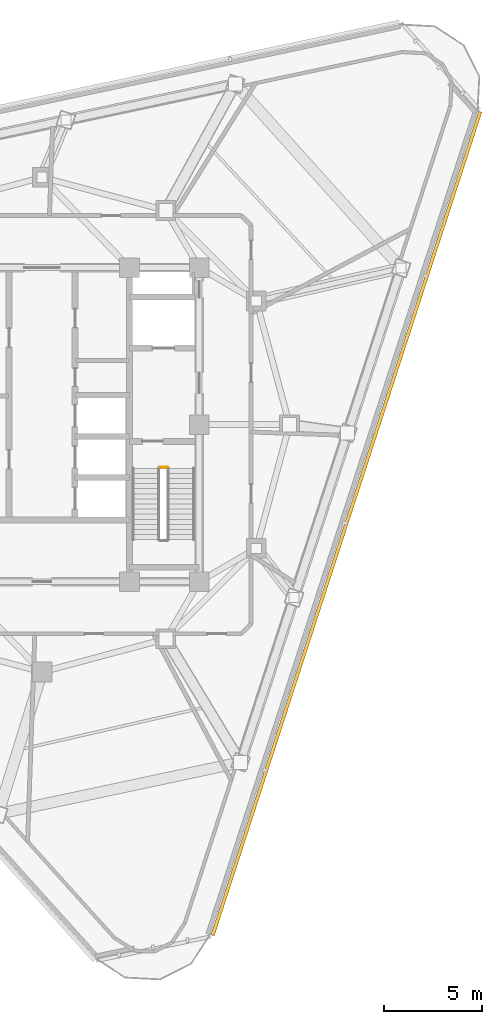
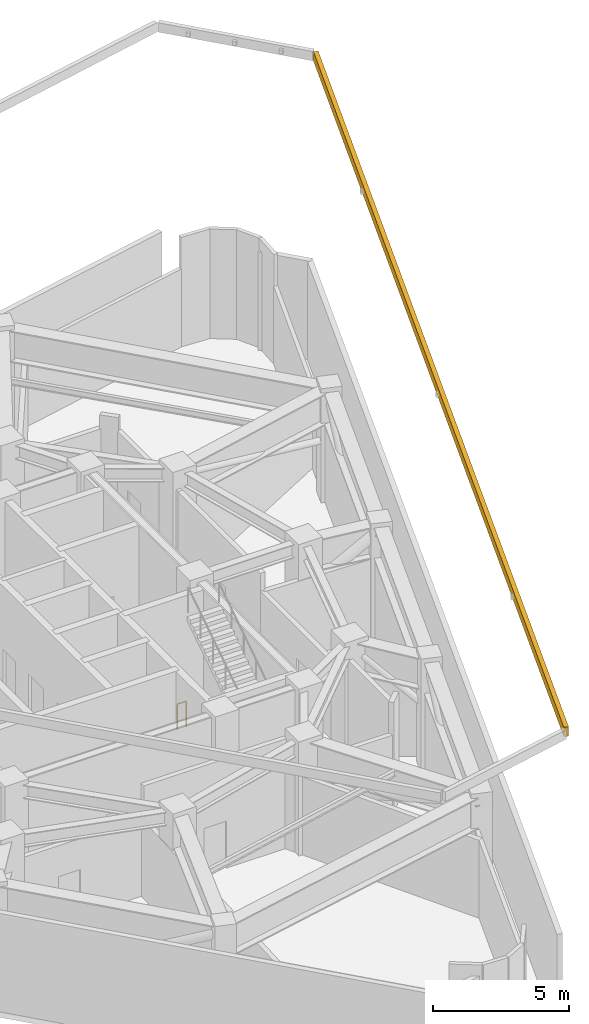
# One storey, part 9 of 10: 1 railing, 1 shading device.
"""IFC4 building model written with IfcOpenShell, lengths in metres."""

import ifcopenshell
import ifcopenshell.guid

model = None  # the IFC model being written
_history = None  # IfcOwnerHistory: only IFC2X3 demands one
_inside = {}  # id of a spatial element -> (the spatial element, [elements in it])
_under = {}  # id of a project, library or spatial element -> (it, [spatial elements below it])
_declared = {}  # id of a project -> (the project, [libraries it declares])
_typed = {}  # id of a type object -> (the type object, [elements of that type])
_made_of = {}  # id of a material, layer set ... -> (it, [elements and type objects made of it])


def new_model(schema):
    """Start an empty IFC model of exactly this schema.

    Asked for "IFC4X3", IfcOpenShell would pick the latest addendum, in which some entities
    have other attributes; the version numbers below select the first issue.
    IFC2X3 requires an IfcOwnerHistory on every rooted entity: one is made here for all.
    """
    global model, _history
    if schema == "IFC4X3":
        model = ifcopenshell.file(schema_version=(4, 3, 0, 0))
    else:
        model = ifcopenshell.file(schema=schema)
    _inside.clear()
    _under.clear()
    _declared.clear()
    _typed.clear()
    _made_of.clear()
    _history = None
    if model.schema == "IFC2X3":
        org = make("IfcOrganization", Name="unknown")
        user = make(
            "IfcPersonAndOrganization",
            ThePerson=make("IfcPerson", FamilyName="unknown"),
            TheOrganization=org,
        )
        app = make(
            "IfcApplication",
            ApplicationDeveloper=org,
            Version="unknown",
            ApplicationFullName="unknown",
            ApplicationIdentifier="unknown",
        )
        _history = make(
            "IfcOwnerHistory",
            OwningUser=user,
            OwningApplication=app,
            ChangeAction="ADDED",
            CreationDate=0,
        )
    return model


def make(cls, **values):
    """One entity of the class cls with the attributes given. An attribute that is None is left unset."""
    return model.create_entity(
        cls, **{name: value for name, value in values.items() if value is not None}
    )


def rooted(cls, **values):
    """An entity with a GlobalId (a new one), such as an element, a storey or a relation."""
    return make(cls, GlobalId=ifcopenshell.guid.new(), OwnerHistory=_history, **values)


def si_unit(unit_type, name, prefix=None):
    """IfcSIUnit, for example si_unit("LENGTHUNIT", "METRE", prefix="MILLI")."""
    return make("IfcSIUnit", UnitType=unit_type, Prefix=prefix, Name=name)


def assignment(units):
    """IfcUnitAssignment: the units of a project."""
    return None if units is None else make("IfcUnitAssignment", Units=units)


def point(xyz):
    """IfcCartesianPoint."""
    return None if xyz is None else make("IfcCartesianPoint", Coordinates=xyz)


def direction(xyz):
    """IfcDirection."""
    return None if xyz is None else make("IfcDirection", DirectionRatios=xyz)


def frame(location, z_axis=None, x_axis=None):
    """IfcAxis2Placement3D, a coordinate frame: its origin and axes. An axis left out is left unset."""
    return make(
        "IfcAxis2Placement3D",
        Location=point(location),
        Axis=direction(z_axis),
        RefDirection=direction(x_axis),
    )


def frame_2d(location, x_axis=None):
    """IfcAxis2Placement2D, a coordinate frame in the plane: its origin and x axis."""
    return make(
        "IfcAxis2Placement2D", Location=point(location), RefDirection=direction(x_axis)
    )


def origin():
    """The frame at (0, 0, 0) with its axes left unset."""
    return frame((0.0, 0.0, 0.0))


def origin_2d():
    """The frame at (0, 0) in the plane with its x axis left unset."""
    return frame_2d((0.0, 0.0))


def place(relative_to, where):
    """IfcLocalPlacement: puts the frame where relative to a parent placement (None: the world)."""
    return make(
        "IfcLocalPlacement", PlacementRelTo=relative_to, RelativePlacement=where
    )


def context(
    kind, dimensions, precision=None, world=None, true_north=None, identifier=None
):
    """IfcGeometricRepresentationContext, for example the 3D "Model" context."""
    return make(
        "IfcGeometricRepresentationContext",
        ContextIdentifier=identifier,
        ContextType=kind,
        CoordinateSpaceDimension=dimensions,
        Precision=precision,
        WorldCoordinateSystem=world,
        TrueNorth=true_north,
    )


def subcontext(parent, identifier, kind, view, scale=None):
    """IfcGeometricRepresentationSubContext, for example "Body" below "Model"."""
    return make(
        "IfcGeometricRepresentationSubContext",
        ContextIdentifier=identifier,
        ContextType=kind,
        ParentContext=parent,
        TargetScale=scale,
        TargetView=view,
    )


def project(units=None, contexts=None):
    """IfcProject with its units and contexts."""
    return rooted(
        "IfcProject",
        Name="project",
        RepresentationContexts=contexts,
        UnitsInContext=assignment(units),
    )


def spatial(cls, under=None, at=None, **own):
    """A site, building, storey or space (cls), placed at a placement, below another one or the project."""
    s = rooted(cls, ObjectPlacement=at, **own)
    if under is not None:
        _under.setdefault(under.id(), (under, []))[1].append(s)
    return s


def profile(cls, at=None, kind="AREA", **sizes):
    """A parametric profile (cls). Its sizes go by their IFC names, for example OverallWidth=200.0."""
    return make(cls, ProfileType=kind, Position=at, **sizes)


def rectangle(**sizes):
    """IfcRectangleProfileDef."""
    return profile("IfcRectangleProfileDef", **sizes)


def circle(**sizes):
    """IfcCircleProfileDef."""
    return profile("IfcCircleProfileDef", **sizes)


def extrude(swept, where, along, depth):
    """IfcExtrudedAreaSolid: the profile swept, set in the frame where, extruded along a direction by depth."""
    return make(
        "IfcExtrudedAreaSolid",
        SweptArea=swept,
        Position=where,
        ExtrudedDirection=direction(along),
        Depth=depth,
    )


def shape(context_of_items, identifier, shape_type, items):
    """IfcShapeRepresentation: the items that make up one representation, for example the "Body"."""
    return make(
        "IfcShapeRepresentation",
        ContextOfItems=context_of_items,
        RepresentationIdentifier=identifier,
        RepresentationType=shape_type,
        Items=items,
    )


def material(Name=None, Category=None):
    """IfcMaterial."""
    return make("IfcMaterial", Name=Name, Category=Category)


def layer(
    of_material, thickness, ventilated=None, Name=None, Category=None, Priority=None
):
    """IfcMaterialLayer: one layer of a wall or slab, of a material (None: an air gap)."""
    return make(
        "IfcMaterialLayer",
        Material=of_material,
        LayerThickness=thickness,
        IsVentilated=ventilated,
        Name=Name,
        Category=Category,
        Priority=Priority,
    )


def layer_set(layers, Name=None):
    """IfcMaterialLayerSet."""
    return make("IfcMaterialLayerSet", MaterialLayers=layers, LayerSetName=Name)


def made_of(thing, what):
    """Note that an element or type object is made of a material, layer set ...; save() writes the relation."""
    if what is not None:
        _made_of.setdefault(what.id(), (what, []))[1].append(thing)
    return thing


def type_object(cls, material=None, **own):
    """A type object (cls), such as IfcWallType, which elements share."""
    return made_of(rooted(cls, **own), material)


def element(
    cls,
    number,
    at=None,
    inside=None,
    cuts=None,
    type_object=None,
    material=None,
    context=None,
    identifier="Body",
    shape_type=None,
    held_by="IfcProductDefinitionShape",
    body=None,
    shapes=None,
    **own,
):
    """One element of the class cls, such as IfcWall. Its Tag is "e" and its number.

    at: its placement. inside: the storey or other place that contains it. cuts: it is an
    opening in that element (IfcRelVoidsElement). A single representation is given by context,
    identifier, shape_type and body (its items); several are given by shapes. held_by: the class
    of the entity that holds the representations. save() writes the other relations.
    """
    e = rooted(cls, Tag="e%d" % number, ObjectPlacement=at, **own)
    if body is not None:
        shapes = [shape(context, identifier, shape_type, body)]
    if shapes is not None:
        e.Representation = make(held_by, Representations=shapes)
    if inside is not None:
        _inside.setdefault(inside.id(), (inside, []))[1].append(e)
    if cuts is not None:
        rooted(
            "IfcRelVoidsElement", RelatingBuildingElement=cuts, RelatedOpeningElement=e
        )
    if type_object is not None:
        _typed.setdefault(type_object.id(), (type_object, []))[1].append(e)
    return made_of(e, material)


def aggregate(whole, parts):
    """IfcRelAggregates: a whole, such as a stair, and the parts it consists of."""
    return rooted("IfcRelAggregates", RelatingObject=whole, RelatedObjects=parts)


def save(model, path):
    """Write the relations noted so far, then the file.

    IfcRelAggregates (storeys below a building ...), IfcRelContainedInSpatialStructure (elements
    in a storey), IfcRelDefinesByType, IfcRelAssociatesMaterial and IfcRelDeclares: one each for
    every whole, place, type object, material and project.
    """
    for whole, parts in _under.values():
        aggregate(whole, parts)
    for where, things in _inside.values():
        rooted(
            "IfcRelContainedInSpatialStructure",
            RelatedElements=things,
            RelatingStructure=where,
        )
    for kind, things in _typed.values():
        rooted("IfcRelDefinesByType", RelatedObjects=things, RelatingType=kind)
    for what, things in _made_of.values():
        rooted("IfcRelAssociatesMaterial", RelatedObjects=things, RelatingMaterial=what)
    for by, libraries in _declared.values():
        rooted("IfcRelDeclares", RelatingContext=by, RelatedDefinitions=libraries)
    model.write(path)


model = new_model("IFC4")

# Units and contexts
model_context = context("Model", 3, precision=1e-05, world=origin(), true_north=direction((0.0, 1.0)))
body_context = subcontext(model_context, "Body", "Model", "MODEL_VIEW")
ifc_project = project(units=[si_unit("LENGTHUNIT", "METRE"), si_unit("AREAUNIT", "SQUARE_METRE"), si_unit("VOLUMEUNIT", "CUBIC_METRE"), si_unit("PLANEANGLEUNIT", "RADIAN"), si_unit("MASSUNIT", "GRAM", prefix="KILO")], contexts=[model_context])

# Site, building, storey
site_placement = place(None, origin())
site = spatial("IfcSite", under=ifc_project, at=site_placement, CompositionType="ELEMENT")
building_placement = place(site_placement, origin())
building = spatial("IfcBuilding", under=site, at=building_placement, Name="Terralouvre Media Tower", CompositionType="ELEMENT")
storey_placement = place(building_placement, frame((0.0, 0.0, 278.10009765625)))
storey = spatial("IfcBuildingStorey", under=building, at=storey_placement, Name="L72", CompositionType="ELEMENT", Elevation=278.10009765625)

# Shading device
ifc_material_1 = material(Name="Extruded terracotta baguette sunshade louvres", Category="masonry")
shading_device_type = type_object("IfcShadingDeviceType", Name="Refuge Plant Acoustic Terracotta Louvre Grill TB-LV2", PredefinedType="JALOUSIE", material=ifc_material_1)
shading_device_placement = place(storey_placement, frame((15.498779296875, -5.035888671875, 13.201904296875), z_axis=(0.0, 0.0, 1.0), x_axis=(0.309017021946, 0.951056507337, 0.0)))
element("IfcShadingDevice", 1, at=shading_device_placement, inside=storey, type_object=shading_device_type, Name="CW-L72-F0 Refuge Acoustic Terracotta Louvre", PredefinedType="JALOUSIE", context=body_context, shape_type="SweptSolid", body=[
    extrude(rectangle(XDim=44.1201171875, YDim=0.179931640625, at=origin_2d()), origin(), (0.0, 0.0, 1.0), 0.419921875),
])

# Railing
ifc_material_2 = material(Name="Stainless steel 316 handrail and balustrade", Category="steel")
ifc_layer = layer(ifc_material_2, 0.050048828125, Name="Stairwell Safety Guardrail GR-INT1")
ifc_layer_set = layer_set([ifc_layer], Name="Stainless steel 316 handrail and balustrade")
railing_type = type_object("IfcRailingType", Name="Stairwell Safety Guardrail GR-INT1", PredefinedType="GUARDRAIL", material=ifc_layer_set)
railing_placement = place(storey_placement, frame((6.0, -2.169921875, 0.0)))
element("IfcRailing", 2, at=railing_placement, inside=storey, type_object=railing_type, Name="L72 ST-02 stair guard 4", PredefinedType="GUARDRAIL", context=body_context, shape_type="SweptSolid", body=[
    extrude(circle(Radius=0.02392578125, at=origin_2d()), frame((0.0, 0.0, 1.1259765625), z_axis=(1.0, 0.0, 0.0), x_axis=(0.0, 1.0, 0.0)), (0.0, 0.0, 1.0), 0.3798828125),
    extrude(circle(Radius=0.02099609375, at=origin_2d()), origin(), (0.0, 0.0, 1.0), 1.101806640625),
    extrude(circle(Radius=0.02099609375, at=origin_2d()), frame((0.3798828125, 0.0, 0.0)), (0.0, 0.0, 1.0), 1.101806640625),
])

save(model, "model.ifc")
